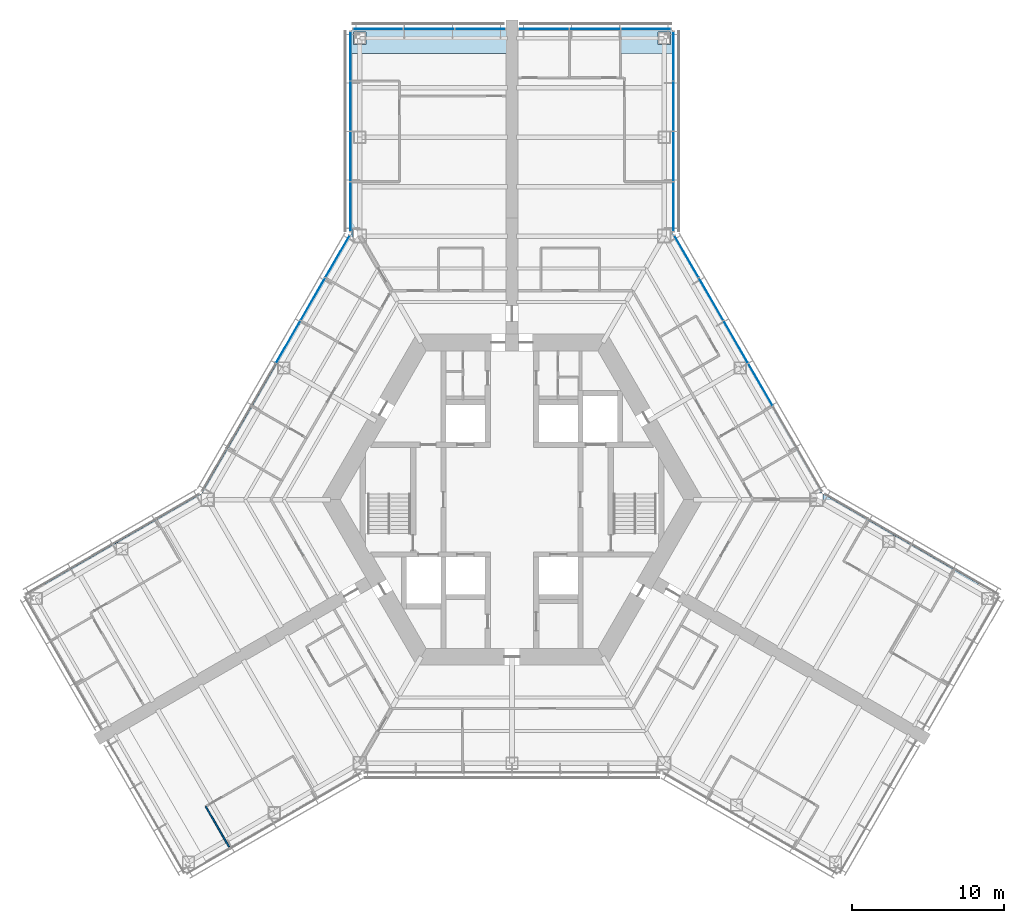
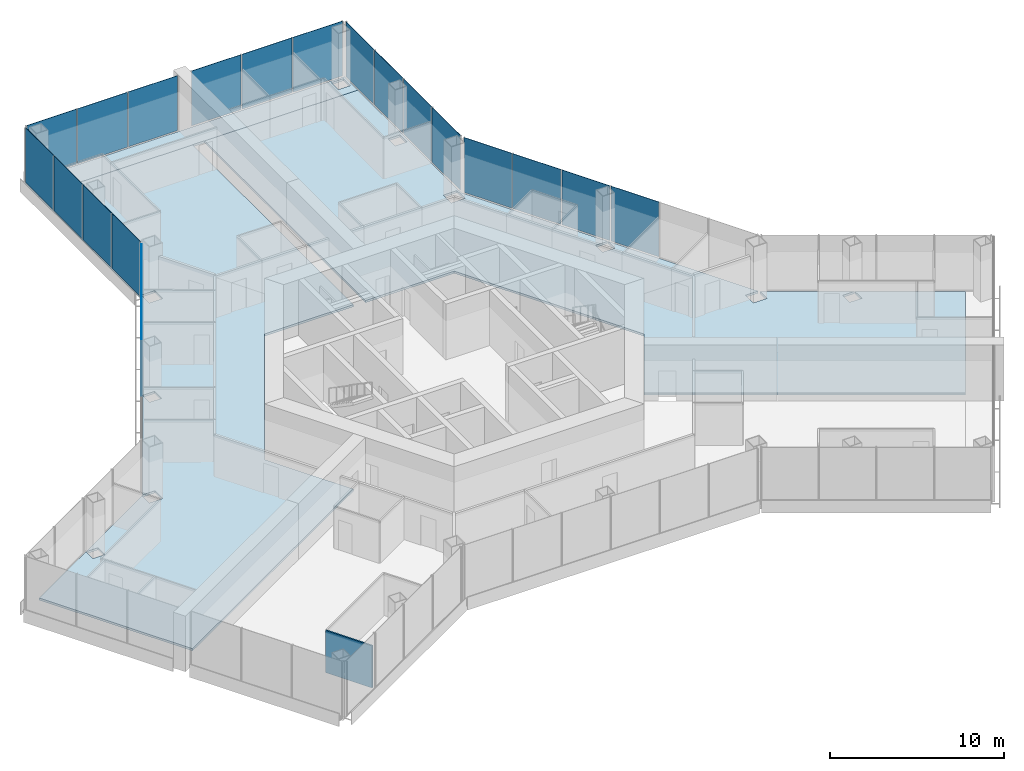
# One storey, part 11 of 19: 21 plates, 3 slabs, 1 wall, 6 elements without a shape of their own.
"""IFC4 building model written with IfcOpenShell, lengths in metres."""

from ifc_helpers import new_model, si_unit, direction, frame, frame_2d, origin, origin_2d, place, context, subcontext, project, spatial, polyline, rectangle, outline, extrude, material, layer, layer_set, type_object, element, aggregate, save


model = new_model("IFC4")

# Units and contexts
model_context = context("Model", 3, precision=1e-05, world=origin(), true_north=direction((0.0, 1.0)))
body_context = subcontext(model_context, "Body", "Model", "MODEL_VIEW")
ifc_project = project(units=[si_unit("LENGTHUNIT", "METRE"), si_unit("AREAUNIT", "SQUARE_METRE"), si_unit("VOLUMEUNIT", "CUBIC_METRE"), si_unit("PLANEANGLEUNIT", "RADIAN"), si_unit("MASSUNIT", "GRAM", prefix="KILO")], contexts=[model_context])

# Site, building, storey
site_placement = place(None, origin())
site = spatial("IfcSite", under=ifc_project, at=site_placement, CompositionType="ELEMENT")
building_placement = place(site_placement, origin())
building = spatial("IfcBuilding", under=site, at=building_placement, Name="Kasaneha Research Tower", CompositionType="ELEMENT")
storey_placement = place(building_placement, frame((0.0, 0.0, 96.300048828125)))
storey = spatial("IfcBuildingStorey", under=building, at=storey_placement, Name="L24", CompositionType="ELEMENT", Elevation=96.300048828125)

# Curtain wall, plates
ifc_material_1 = material(Name="Glass and aluminium", Category="aluminium")
curtain_wall_type = type_object("IfcCurtainWallType", Name="Low-rise office curtain wall", PredefinedType="USERDEFINED", material=ifc_material_1)
curtain_wall_1_placement = place(storey_placement, origin())
curtain_wall_1 = element("IfcCurtainWall", 1, at=curtain_wall_1_placement, inside=storey, type_object=curtain_wall_type, Name="CW-O1 L24 run 07a", ObjectType="UNITISED CURTAIN WALL", PredefinedType="USERDEFINED")
ifc_material_2 = material(Name="Laminated double glazing", Category="glass")
ifc_layer_1 = layer(ifc_material_2, 0.028076171875)
ifc_layer_set_1 = layer_set([ifc_layer_1], Name="CW-O1 glazed panel")
plate_type = type_object("IfcPlateType", Name="CW-O1 glazed panel", PredefinedType="CURTAIN_PANEL", material=ifc_layer_set_1)
plate_1_placement = place(storey_placement, frame((16.331298828125, 7.554443359375, 0.06005859375), z_axis=(0.0, 0.0, 1.0), x_axis=(-0.49999996188, 0.866025425793, 0.0)))
plate_1 = element("IfcPlate", 2, at=plate_1_placement, type_object=plate_type, Name="CW-O1 panel 3", PredefinedType="CURTAIN_PANEL", context=body_context, shape_type="SweptSolid", body=[
    extrude(rectangle(XDim=3.1865234375, YDim=0.028076171875, at=origin_2d()), origin(), (0.0, 0.0, 1.0), 3.840087890625),
])
plate_2_placement = place(storey_placement, frame((14.7080078125, 10.365966796875, 0.06005859375), z_axis=(0.0, 0.0, 1.0), x_axis=(-0.49999996188, 0.866025425793, 0.0)))
plate_2 = element("IfcPlate", 3, at=plate_2_placement, type_object=plate_type, Name="CW-O1 panel 4", PredefinedType="CURTAIN_PANEL", context=body_context, shape_type="SweptSolid", body=[
    extrude(rectangle(XDim=3.1865234375, YDim=0.028076171875, at=origin_2d()), origin(), (0.0, 0.0, 1.0), 3.840087890625),
])
plate_3_placement = place(storey_placement, frame((13.084716796875, 13.177490234375, 0.06005859375), z_axis=(0.0, 0.0, 1.0), x_axis=(-0.49999996188, 0.866025425793, 0.0)))
plate_3 = element("IfcPlate", 4, at=plate_3_placement, type_object=plate_type, Name="CW-O1 panel 5", PredefinedType="CURTAIN_PANEL", context=body_context, shape_type="SweptSolid", body=[
    extrude(rectangle(XDim=3.1865234375, YDim=0.028076171875, at=origin_2d()), origin(), (0.0, 0.0, 1.0), 3.840087890625),
])
plate_4_placement = place(storey_placement, frame((11.468994140625, 15.975830078125, 0.06005859375), z_axis=(0.0, 0.0, 1.0), x_axis=(-0.49999996188, 0.866025425793, 0.0)))
plate_4 = element("IfcPlate", 5, at=plate_4_placement, type_object=plate_type, Name="CW-O1 panel 6", PredefinedType="CURTAIN_PANEL", context=body_context, shape_type="SweptSolid", body=[
    extrude(rectangle(XDim=3.156494140625, YDim=0.028076171875, at=origin_2d()), origin(), (0.0, 0.0, 1.0), 3.840087890625),
])
aggregate(curtain_wall_1, [plate_1, plate_2, plate_3, plate_4])

curtain_wall_2_placement = place(storey_placement, origin())
curtain_wall_2 = element("IfcCurtainWall", 6, at=curtain_wall_2_placement, inside=storey, type_object=curtain_wall_type, Name="CW-O1 L24 run 08a", ObjectType="UNITISED CURTAIN WALL", PredefinedType="USERDEFINED")
plate_5_placement = place(storey_placement, frame((10.60009765625, 19.251220703125, 0.06005859375), z_axis=(0.0, 0.0, 1.0), x_axis=(0.0, 1.0, 0.0)))
plate_5 = element("IfcPlate", 7, at=plate_5_placement, type_object=plate_type, Name="CW-O1 panel 1", PredefinedType="CURTAIN_PANEL", context=body_context, shape_type="SweptSolid", body=[
    extrude(rectangle(XDim=3.2197265625, YDim=0.028076171875, at=origin_2d()), origin(), (0.0, 0.0, 1.0), 3.840087890625),
])
plate_6_placement = place(storey_placement, frame((10.60009765625, 22.5458984375, 0.06005859375), z_axis=(0.0, 0.0, 1.0), x_axis=(0.0, 1.0, 0.0)))
plate_6 = element("IfcPlate", 8, at=plate_6_placement, type_object=plate_type, Name="CW-O1 panel 2", PredefinedType="CURTAIN_PANEL", context=body_context, shape_type="SweptSolid", body=[
    extrude(rectangle(XDim=3.249755859375, YDim=0.028076171875, at=origin_2d()), origin(), (0.0, 0.0, 1.0), 3.840087890625),
])
plate_7_placement = place(storey_placement, frame((10.60009765625, 25.855712890625, 0.06005859375), z_axis=(0.0, 0.0, 1.0), x_axis=(0.0, 1.0, 0.0)))
plate_7 = element("IfcPlate", 9, at=plate_7_placement, type_object=plate_type, Name="CW-O1 panel 3", PredefinedType="CURTAIN_PANEL", context=body_context, shape_type="SweptSolid", body=[
    extrude(rectangle(XDim=3.249755859375, YDim=0.028076171875, at=origin_2d()), origin(), (0.0, 0.0, 1.0), 3.840087890625),
])
plate_8_placement = place(storey_placement, frame((10.60009765625, 29.150634765625, 0.06005859375), z_axis=(0.0, 0.0, 1.0), x_axis=(0.0, 1.0, 0.0)))
plate_8 = element("IfcPlate", 10, at=plate_8_placement, type_object=plate_type, Name="CW-O1 panel 4", PredefinedType="CURTAIN_PANEL", context=body_context, shape_type="SweptSolid", body=[
    extrude(rectangle(XDim=3.2197265625, YDim=0.028076171875, at=origin_2d()), origin(), (0.0, 0.0, 1.0), 3.840087890625),
])
aggregate(curtain_wall_2, [plate_5, plate_6, plate_7, plate_8])

curtain_wall_3_placement = place(storey_placement, origin())
curtain_wall_3 = element("IfcCurtainWall", 11, at=curtain_wall_3_placement, inside=storey, type_object=curtain_wall_type, Name="CW-O1 L24 run 09a", ObjectType="UNITISED CURTAIN WALL", PredefinedType="USERDEFINED")
plate_9_placement = place(storey_placement, frame((8.8017578125, 30.92041015625, 0.06005859375), z_axis=(0.0, 0.0, 1.0), x_axis=(-1.0, 0.0, 0.0)))
plate_9 = element("IfcPlate", 12, at=plate_9_placement, type_object=plate_type, Name="CW-O1 panel 1", PredefinedType="CURTAIN_PANEL", context=body_context, shape_type="SweptSolid", body=[
    extrude(rectangle(XDim=3.276611328125, YDim=0.028076171875, at=origin_2d()), origin(), (0.0, 0.0, 1.0), 3.840087890625),
])
plate_10_placement = place(storey_placement, frame((5.449951171875, 30.92041015625, 0.06005859375), z_axis=(0.0, 0.0, 1.0), x_axis=(-1.0, 0.0, 0.0)))
plate_10 = element("IfcPlate", 13, at=plate_10_placement, type_object=plate_type, Name="CW-O1 panel 2", PredefinedType="CURTAIN_PANEL", context=body_context, shape_type="SweptSolid", body=[
    extrude(rectangle(XDim=3.306640625, YDim=0.028076171875, at=origin_2d()), origin(), (0.0, 0.0, 1.0), 3.840087890625),
])
plate_11_placement = place(storey_placement, frame((2.098388671875, 30.92041015625, 0.06005859375), z_axis=(0.0, 0.0, 1.0), x_axis=(-1.0, 0.0, 0.0)))
plate_11 = element("IfcPlate", 14, at=plate_11_placement, type_object=plate_type, Name="CW-O1 panel 3", PredefinedType="CURTAIN_PANEL", context=body_context, shape_type="SweptSolid", body=[
    extrude(rectangle(XDim=3.276611328125, YDim=0.028076171875, at=origin_2d()), origin(), (0.0, 0.0, 1.0), 3.840087890625),
])
aggregate(curtain_wall_3, [plate_9, plate_10, plate_11])

curtain_wall_4_placement = place(storey_placement, origin())
curtain_wall_4 = element("IfcCurtainWall", 15, at=curtain_wall_4_placement, inside=storey, type_object=curtain_wall_type, Name="CW-O1 L24 run 10a", ObjectType="UNITISED CURTAIN WALL", PredefinedType="USERDEFINED")
plate_12_placement = place(storey_placement, frame((-2.098388671875, 30.92041015625, 0.06005859375), z_axis=(0.0, 0.0, 1.0), x_axis=(-1.0, 0.0, 0.0)))
plate_12 = element("IfcPlate", 16, at=plate_12_placement, type_object=plate_type, Name="CW-O1 panel 1", PredefinedType="CURTAIN_PANEL", context=body_context, shape_type="SweptSolid", body=[
    extrude(rectangle(XDim=3.276611328125, YDim=0.028076171875, at=origin_2d()), origin(), (0.0, 0.0, 1.0), 3.840087890625),
])
plate_13_placement = place(storey_placement, frame((-5.449951171875, 30.92041015625, 0.06005859375), z_axis=(0.0, 0.0, 1.0), x_axis=(-1.0, 0.0, 0.0)))
plate_13 = element("IfcPlate", 17, at=plate_13_placement, type_object=plate_type, Name="CW-O1 panel 2", PredefinedType="CURTAIN_PANEL", context=body_context, shape_type="SweptSolid", body=[
    extrude(rectangle(XDim=3.306640625, YDim=0.028076171875, at=origin_2d()), origin(), (0.0, 0.0, 1.0), 3.840087890625),
])
plate_14_placement = place(storey_placement, frame((-8.8017578125, 30.92041015625, 0.06005859375), z_axis=(0.0, 0.0, 1.0), x_axis=(-1.0, 0.0, 0.0)))
plate_14 = element("IfcPlate", 18, at=plate_14_placement, type_object=plate_type, Name="CW-O1 panel 3", PredefinedType="CURTAIN_PANEL", context=body_context, shape_type="SweptSolid", body=[
    extrude(rectangle(XDim=3.276611328125, YDim=0.028076171875, at=origin_2d()), origin(), (0.0, 0.0, 1.0), 3.840087890625),
])
aggregate(curtain_wall_4, [plate_12, plate_13, plate_14])

curtain_wall_5_placement = place(storey_placement, origin())
curtain_wall_5 = element("IfcCurtainWall", 19, at=curtain_wall_5_placement, inside=storey, type_object=curtain_wall_type, Name="CW-O1 L24 run 11a", ObjectType="UNITISED CURTAIN WALL", PredefinedType="USERDEFINED")
plate_15_placement = place(storey_placement, frame((-10.60009765625, 29.150634765625, 0.06005859375), z_axis=(0.0, 0.0, 1.0), x_axis=(0.0, -1.0, 0.0)))
plate_15 = element("IfcPlate", 20, at=plate_15_placement, type_object=plate_type, Name="CW-O1 panel 1", PredefinedType="CURTAIN_PANEL", context=body_context, shape_type="SweptSolid", body=[
    extrude(rectangle(XDim=3.2197265625, YDim=0.028076171875, at=origin_2d()), origin(), (0.0, 0.0, 1.0), 3.840087890625),
])
plate_16_placement = place(storey_placement, frame((-10.60009765625, 25.855712890625, 0.06005859375), z_axis=(0.0, 0.0, 1.0), x_axis=(0.0, -1.0, 0.0)))
plate_16 = element("IfcPlate", 21, at=plate_16_placement, type_object=plate_type, Name="CW-O1 panel 2", PredefinedType="CURTAIN_PANEL", context=body_context, shape_type="SweptSolid", body=[
    extrude(rectangle(XDim=3.249755859375, YDim=0.028076171875, at=origin_2d()), origin(), (0.0, 0.0, 1.0), 3.840087890625),
])
plate_17_placement = place(storey_placement, frame((-10.60009765625, 22.5458984375, 0.06005859375), z_axis=(0.0, 0.0, 1.0), x_axis=(0.0, -1.0, 0.0)))
plate_17 = element("IfcPlate", 22, at=plate_17_placement, type_object=plate_type, Name="CW-O1 panel 3", PredefinedType="CURTAIN_PANEL", context=body_context, shape_type="SweptSolid", body=[
    extrude(rectangle(XDim=3.249755859375, YDim=0.028076171875, at=origin_2d()), origin(), (0.0, 0.0, 1.0), 3.840087890625),
])
plate_18_placement = place(storey_placement, frame((-10.60009765625, 19.251220703125, 0.06005859375), z_axis=(0.0, 0.0, 1.0), x_axis=(0.0, -1.0, 0.0)))
plate_18 = element("IfcPlate", 23, at=plate_18_placement, type_object=plate_type, Name="CW-O1 panel 4", PredefinedType="CURTAIN_PANEL", context=body_context, shape_type="SweptSolid", body=[
    extrude(rectangle(XDim=3.2197265625, YDim=0.028076171875, at=origin_2d()), origin(), (0.0, 0.0, 1.0), 3.840087890625),
])
aggregate(curtain_wall_5, [plate_15, plate_16, plate_17, plate_18])

curtain_wall_6_placement = place(storey_placement, origin())
curtain_wall_6 = element("IfcCurtainWall", 24, at=curtain_wall_6_placement, inside=storey, type_object=curtain_wall_type, Name="CW-O1 L24 run 12a", ObjectType="UNITISED CURTAIN WALL", PredefinedType="USERDEFINED")
plate_19_placement = place(storey_placement, frame((-11.468994140625, 15.975830078125, 0.06005859375), z_axis=(0.0, 0.0, 1.0), x_axis=(-0.49999996188, -0.866025425793, 0.0)))
plate_19 = element("IfcPlate", 25, at=plate_19_placement, type_object=plate_type, Name="CW-O1 panel 1", PredefinedType="CURTAIN_PANEL", context=body_context, shape_type="SweptSolid", body=[
    extrude(rectangle(XDim=3.156494140625, YDim=0.028076171875, at=origin_2d()), origin(), (0.0, 0.0, 1.0), 3.840087890625),
])
plate_20_placement = place(storey_placement, frame((-13.084716796875, 13.177490234375, 0.06005859375), z_axis=(0.0, 0.0, 1.0), x_axis=(-0.49999996188, -0.866025425793, 0.0)))
plate_20 = element("IfcPlate", 26, at=plate_20_placement, type_object=plate_type, Name="CW-O1 panel 2", PredefinedType="CURTAIN_PANEL", context=body_context, shape_type="SweptSolid", body=[
    extrude(rectangle(XDim=3.1865234375, YDim=0.028076171875, at=origin_2d()), origin(), (0.0, 0.0, 1.0), 3.840087890625),
])
plate_21_placement = place(storey_placement, frame((-14.7080078125, 10.365966796875, 0.06005859375), z_axis=(0.0, 0.0, 1.0), x_axis=(-0.49999996188, -0.866025425793, 0.0)))
plate_21 = element("IfcPlate", 27, at=plate_21_placement, type_object=plate_type, Name="CW-O1 panel 3", PredefinedType="CURTAIN_PANEL", context=body_context, shape_type="SweptSolid", body=[
    extrude(rectangle(XDim=3.1865234375, YDim=0.028076171875, at=origin_2d()), origin(), (0.0, 0.0, 1.0), 3.840087890625),
])
aggregate(curtain_wall_6, [plate_19, plate_20, plate_21])

# Slabs
ifc_material_3 = material(Name="Concrete Fc24", Category="concrete")
ifc_layer_2 = layer(ifc_material_3, 0.14990234375)
ifc_layer_set_2 = layer_set([ifc_layer_2], Name="Floor slab 150")
slab_type = type_object("IfcSlabType", Name="Floor slab 150", PredefinedType="FLOOR", material=ifc_layer_set_2)
slab_1_placement = place(storey_placement, frame((0.0, 0.0, -0.150146484375)))
element("IfcSlab", 28, at=slab_1_placement, inside=storey, type_object=slab_type, Name="Floor slab L24 2", PredefinedType="FLOOR", context=body_context, shape_type="SweptSolid", body=[
    extrude(outline(polyline([(-20.375244140625, 0.449951171875), (-15.40771484375, 9.053955078125), (-15.400146484375, 9.046142578125), (-15.400146484375, 8.26025390625), (-14.599853515625, 8.26025390625), (-14.599853515625, 9.060302734375), (-15.385986328125, 9.060302734375), (-15.3974609375, 9.07177734375), (-10.550048828125, 17.4677734375), (-10.550048828125, 29.310546875), (-0.39990234375, 29.310546875), (-0.39990234375, 10.875), (-6.278564453125, 10.875), (-12.557373046875, 0.0), (-9.617919921875, -5.091064453125), (-25.583740234375, -14.308837890625), (-30.65869140625, -5.518798828125), (-26.040771484375, -2.8525390625), (-26.029296875, -2.864013671875), (-26.029296875, -3.650146484375), (-25.22900390625, -3.650146484375), (-25.22900390625, -2.849853515625), (-26.01513671875, -2.849853515625), (-26.02294921875, -2.84228515625), (-20.449951171875, 0.375244140625), (-20.449951171875, -0.449951171875), (-19.550048828125, -0.449951171875), (-19.550048828125, 0.449951171875), (-20.375244140625, 0.449951171875)]), holes=[polyline([(-9.550048828125, 17.7705078125), (-10.449951171875, 17.7705078125), (-10.449951171875, 16.87060546875), (-9.550048828125, 16.87060546875), (-9.550048828125, 17.7705078125)]), polyline([(-9.60009765625, 23.42041015625), (-9.60009765625, 24.220458984375), (-10.39990234375, 24.220458984375), (-10.39990234375, 23.42041015625), (-9.60009765625, 23.42041015625)])]), origin(), (0.0, 0.0, 1.0), 0.150146484375),
])
slab_2_placement = place(storey_placement, frame((0.0, 0.0, -0.150146484375)))
element("IfcSlab", 29, at=slab_2_placement, inside=storey, type_object=slab_type, Name="Floor slab L24 3", PredefinedType="FLOOR", context=body_context, shape_type="SweptSolid", body=[
    extrude(outline(polyline([(10.550048828125, 29.310546875), (0.39990234375, 29.310546875), (0.39990234375, 29.320556640625), (-0.39990234375, 29.320556640625), (-0.39990234375, 29.310546875), (-10.550048828125, 29.310546875), (-10.550048828125, 30.87060546875), (10.550048828125, 30.87060546875), (10.550048828125, 29.310546875)]), holes=[polyline([(-9.60009765625, 30.720458984375), (-10.39990234375, 30.720458984375), (-10.39990234375, 29.92041015625), (-9.60009765625, 29.92041015625), (-9.60009765625, 30.720458984375)]), polyline([(10.39990234375, 29.92041015625), (10.39990234375, 30.720458984375), (9.60009765625, 30.720458984375), (9.60009765625, 29.92041015625), (10.39990234375, 29.92041015625)])]), origin(), (0.0, 0.0, 1.0), 0.150146484375),
])
slab_3_placement = place(storey_placement, frame((0.0, 0.0, -0.150146484375)))
element("IfcSlab", 30, at=slab_3_placement, inside=storey, type_object=slab_type, Name="Floor slab L24 5", PredefinedType="FLOOR", context=body_context, shape_type="SweptSolid", body=[
    extrude(outline(polyline([(9.617919921875, -5.091064453125), (12.557373046875, 0.0), (6.278564453125, 10.875), (0.39990234375, 10.875), (0.39990234375, 29.310546875), (10.550048828125, 29.310546875), (10.550048828125, 17.4677734375), (15.3974609375, 9.07177734375), (15.385986328125, 9.060302734375), (14.599853515625, 9.060302734375), (14.599853515625, 8.26025390625), (15.400146484375, 8.26025390625), (15.400146484375, 9.046142578125), (15.40771484375, 9.053955078125), (20.375244140625, 0.449951171875), (19.550048828125, 0.449951171875), (19.550048828125, -0.449951171875), (20.449951171875, -0.449951171875), (20.449951171875, 0.375244140625), (25.15673828125, -2.34228515625), (25.149169921875, -2.349853515625), (24.363037109375, -2.349853515625), (24.363037109375, -3.150146484375), (25.163330078125, -3.150146484375), (25.163330078125, -2.364013671875), (25.1748046875, -2.3525390625), (30.65869140625, -5.518798828125), (25.583740234375, -14.308837890625), (9.617919921875, -5.091064453125)]), holes=[polyline([(10.449951171875, 16.87060546875), (10.449951171875, 17.7705078125), (9.550048828125, 17.7705078125), (9.550048828125, 16.87060546875), (10.449951171875, 16.87060546875)]), polyline([(10.39990234375, 23.42041015625), (10.39990234375, 24.220458984375), (9.60009765625, 24.220458984375), (9.60009765625, 23.42041015625), (10.39990234375, 23.42041015625)])]), origin(), (0.0, 0.0, 1.0), 0.150146484375),
])

# Wall
ifc_material_4 = material(Name="Gypsum board on steel studs, one layer each side", Category="steel")
ifc_layer_3 = layer(ifc_material_4, 0.10009765625)
ifc_layer_set_3 = layer_set([ifc_layer_3], Name="Office partition 100")
wall_type = type_object("IfcWallType", Name="Office partition 100", PredefinedType="PARTITIONING", material=ifc_layer_set_3)
wall_placement = place(storey_placement, frame((-18.5849609375, -22.831298828125, 0.0), z_axis=(0.0, 0.0, 1.0), x_axis=(-0.499992328818, 0.866029832698, 0.0)))
element("IfcWall", 31, at=wall_placement, inside=storey, type_object=wall_type, Name="Office partition FBS08 L24", PredefinedType="PARTITIONING", context=body_context, shape_type="SweptSolid", body=[
    extrude(rectangle(XDim=3.080078125, YDim=0.10009765625, at=frame_2d((1.5400390625, 0.0))), origin(), (0.0, 0.0, 1.0), 2.949951171875),
])

save(model, "model.ifc")
